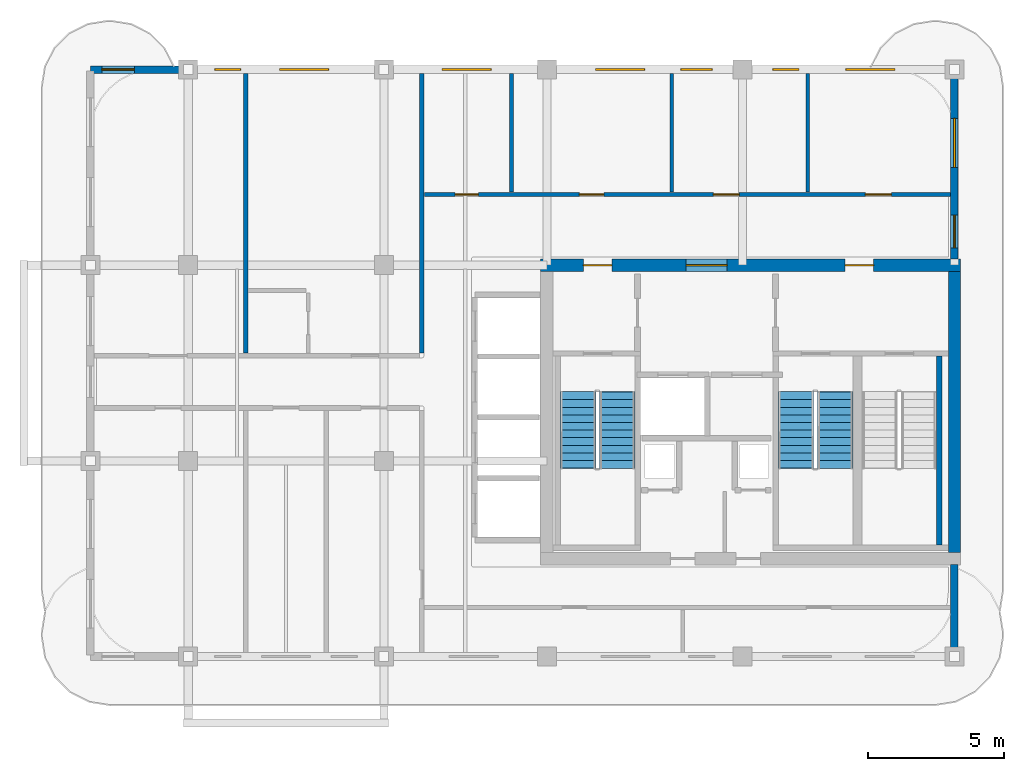
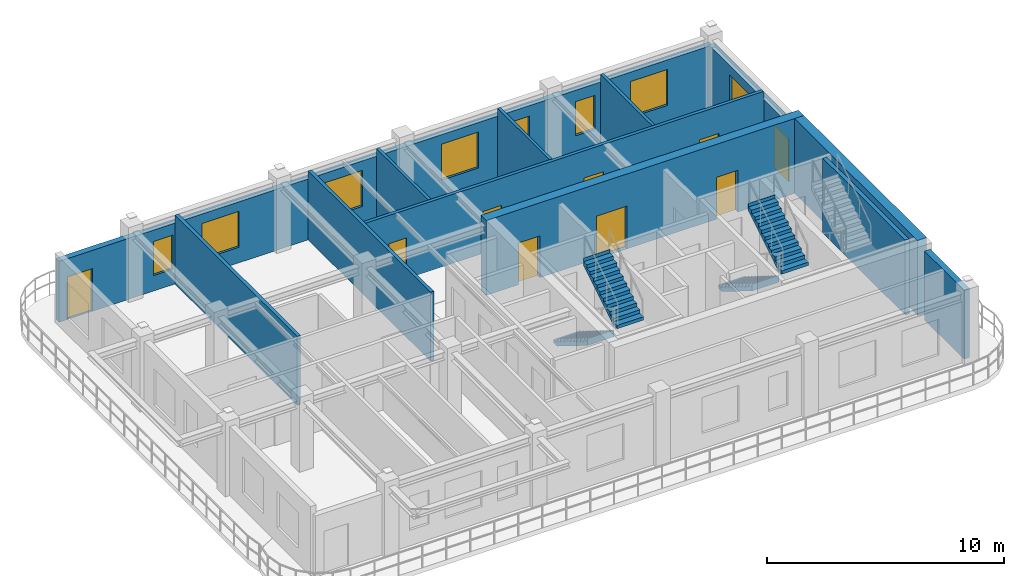
# One storey, part 4 of 7: 12 walls, 9 doors, 8 windows, 4 stair flights, 17 openings, 2 elements without a shape of their own.
"""IFC4 building model written with IfcOpenShell, lengths in metres."""

from ifc_helpers import new_model, si_unit, derived_unit, direction, frame, frame_2d, origin, place, context, subcontext, project, spatial, polyline, rectangle, outline, extrude, source, transform, mapped, material, layer, layer_set, type_object, type_shapes, element, fill, aggregate, save


model = new_model("IFC4")

# Units and contexts
model_context = context("Model", 3, precision=1e-05, world=origin(), true_north=direction((0.0, 1.0)))
body_context = subcontext(model_context, "Body", "Model", "MODEL_VIEW")
ifc_project = project(units=[si_unit("LENGTHUNIT", "METRE"), si_unit("AREAUNIT", "SQUARE_METRE"), si_unit("VOLUMEUNIT", "CUBIC_METRE"), si_unit("PLANEANGLEUNIT", "RADIAN"), si_unit("MASSUNIT", "GRAM", prefix="KILO"), si_unit("THERMODYNAMICTEMPERATUREUNIT", "KELVIN"), si_unit("POWERUNIT", "WATT"), derived_unit("THERMALTRANSMITTANCEUNIT", [(si_unit("POWERUNIT", "WATT"), 1), (si_unit("AREAUNIT", "SQUARE_METRE"), -1), (si_unit("THERMODYNAMICTEMPERATUREUNIT", "KELVIN"), -1)])], contexts=[model_context])

# Site, building, storey
site_placement = place(None, origin())
site = spatial("IfcSite", under=ifc_project, at=site_placement, CompositionType="ELEMENT")
building_placement = place(site_placement, origin())
building = spatial("IfcBuilding", under=site, at=building_placement, Name="Zahravan Archway Hotel and Residences", CompositionType="ELEMENT")
storey_placement = place(building_placement, frame((0.0, 0.0, 290.449951171875)))
storey = spatial("IfcBuildingStorey", under=building, at=storey_placement, Name="L73", CompositionType="ELEMENT", Elevation=290.449951171875)

# Wall, openings, doors
ifc_material_1 = material(Name="Concrete C50/60", Category="concrete")
ifc_layer_1 = layer(ifc_material_1, 0.449951171875, Name="Concrete C50/60", Category="concrete")
ifc_layer_set_1 = layer_set([ifc_layer_1], Name="Concrete C50/60")
wall_type_1 = type_object("IfcWallType", Name="CW-CORE-450", PredefinedType="SHEAR", material=ifc_layer_set_1)
wall_1_placement = place(storey_placement, frame((34.574951171875, 14.39990234375, 0.0), z_axis=(0.0, 0.0, 1.0), x_axis=(1.0, 0.0, 0.0)))
wall_1 = element("IfcWall", 1, at=wall_1_placement, inside=storey, type_object=wall_type_1, Name="L73 Core A Shear N Wall 450 mm", PredefinedType="SHEAR", context=body_context, shape_type="SweptSolid", body=[
    extrude(rectangle(XDim=15.449951171875, YDim=0.449951171875, at=frame_2d((7.72509765625, 0.0))), origin(), (0.0, 0.0, 1.0), 3.85009765625),
])
opening_1_placement = place(wall_1_placement, frame((5.35498046875, 0.0, 0.0)))
opening_1 = element("IfcOpeningElement", 2, at=opening_1_placement, cuts=wall_1, Name="Opening FD-L1", PredefinedType="OPENING", context=body_context, shape_type="SweptSolid", body=[
    extrude(rectangle(XDim=1.5, YDim=2.199951171875, at=frame_2d((0.75, 1.10009765625))), frame((0.0, 0.23486328125, 0.0), z_axis=(0.0, -1.0, 0.0), x_axis=(1.0, 0.0, 0.0)), (0.0, 0.0, 1.0), 0.469970703125),
])
opening_2_placement = place(wall_1_placement, frame((1.570068359375, 0.0, 0.0)))
opening_2 = element("IfcOpeningElement", 3, at=opening_2_placement, cuts=wall_1, Name="Opening FD-L2", PredefinedType="OPENING", context=body_context, shape_type="SweptSolid", body=[
    extrude(rectangle(XDim=1.050048828125, YDim=2.14990234375, at=frame_2d((0.52490234375, 1.074951171875))), frame((0.0, 0.23486328125, 0.0), z_axis=(0.0, -1.0, 0.0), x_axis=(1.0, 0.0, 0.0)), (0.0, 0.0, 1.0), 0.469970703125),
])
opening_3_placement = place(wall_1_placement, frame((11.199951171875, 0.0, 0.0)))
opening_3 = element("IfcOpeningElement", 4, at=opening_3_placement, cuts=wall_1, Name="Opening FD-L2", PredefinedType="OPENING", context=body_context, shape_type="SweptSolid", body=[
    extrude(rectangle(XDim=1.050048828125, YDim=2.14990234375, at=frame_2d((0.52490234375, 1.074951171875))), frame((0.0, 0.23486328125, 0.0), z_axis=(0.0, -1.0, 0.0), x_axis=(1.0, 0.0, 0.0)), (0.0, 0.0, 1.0), 0.469970703125),
])
ifc_material_2 = material(Name="Fire-Rated Painted Steel", Category="steel")
door_type_1 = type_object("IfcDoorType", Name="FD-LOBBY-1100", OperationType="NOTDEFINED", PredefinedType="DOOR", material=ifc_material_2)
shared_shape_1 = source(origin(), body_context, "Body", "SweptSolid", [
    extrude(rectangle(XDim=1.050048828125, YDim=2.14990234375, at=frame_2d((0.52490234375, 1.074951171875))), frame((0.0, 0.02490234375, 0.0), z_axis=(0.0, -1.0, 0.0), x_axis=(1.0, 0.0, 0.0)), (0.0, 0.0, 1.0), 0.050048828125),
])
type_shapes(door_type_1, [shared_shape_1])
door_1_placement = place(opening_2_placement, origin())
door_1 = element("IfcDoor", 5, at=door_1_placement, inside=storey, type_object=door_type_1, Name="L73 Core A West Stair Lobby Door", OperationType="SINGLE_SWING_RIGHT", OverallHeight=2.14990234375, OverallWidth=1.050048828125, PredefinedType="DOOR", context=body_context, shape_type="MappedRepresentation", body=[
    mapped(shared_shape_1, transform((0.0, 0.0, 0.0), scale=1.0)),
])
fill(opening_2, door_1)
door_2_placement = place(opening_3_placement, origin())
door_2 = element("IfcDoor", 6, at=door_2_placement, inside=storey, type_object=door_type_1, Name="L73 Core A East Stair Lobby Door", OperationType="SINGLE_SWING_LEFT", OverallHeight=2.14990234375, OverallWidth=1.050048828125, PredefinedType="DOOR", context=body_context, shape_type="MappedRepresentation", body=[
    mapped(shared_shape_1, transform((0.0, 0.0, 0.0), scale=1.0)),
])
fill(opening_3, door_2)
door_type_2 = type_object("IfcDoorType", Name="FD-LOBBY-1500", OperationType="DOUBLE_DOOR_SINGLE_SWING", PredefinedType="DOOR", material=ifc_material_2)
shared_shape_2 = source(origin(), body_context, "Body", "SweptSolid", [
    extrude(rectangle(XDim=1.5, YDim=2.199951171875, at=frame_2d((0.75, 1.10009765625))), frame((0.0, 0.02490234375, 0.0), z_axis=(0.0, -1.0, 0.0), x_axis=(1.0, 0.0, 0.0)), (0.0, 0.0, 1.0), 0.050048828125),
])
type_shapes(door_type_2, [shared_shape_2])
door_3_placement = place(opening_1_placement, origin())
door_3 = element("IfcDoor", 7, at=door_3_placement, inside=storey, type_object=door_type_2, Name="L73 Core A FSAE Lobby Main Door", OperationType="DOUBLE_DOOR_SINGLE_SWING", OverallHeight=2.199951171875, OverallWidth=1.5, PredefinedType="DOOR", context=body_context, shape_type="MappedRepresentation", body=[
    mapped(shared_shape_2, transform((0.0, 0.0, 0.0), scale=1.0)),
])
fill(opening_1, door_3)

# Walls
wall_2_placement = place(storey_placement, frame((49.800048828125, 3.824951171875, 0.0), z_axis=(0.0, 0.0, 1.0), x_axis=(0.0, 1.0, 0.0)))
element("IfcWall", 8, at=wall_2_placement, inside=storey, type_object=wall_type_1, Name="L73 Core A Shear E Wall 450 mm", PredefinedType="SHEAR", context=body_context, shape_type="SweptSolid", body=[
    extrude(rectangle(XDim=10.35009765625, YDim=0.449951171875, at=frame_2d((5.175048828125, 0.0))), origin(), (0.0, 0.0, 1.0), 3.85009765625),
])
ifc_material_3 = material(Name="Honed Red-Ochre Sandstone & Insulated Block", Category="masonry")
ifc_layer_2 = layer(ifc_material_3, 0.280029296875, Name="Honed Red-Ochre Sandstone & Insulated Block", Category="masonry")
ifc_layer_set_2 = layer_set([ifc_layer_2], Name="Honed Red-Ochre Sandstone & Insulated Block")
wall_type_2 = type_object("IfcWallType", Name="EW-LOG-280", PredefinedType="SOLIDWALL", material=ifc_layer_set_2)
wall_3_placement = place(storey_placement, frame((49.800048828125, 0.050048828125, 0.0), z_axis=(0.0, 0.0, 1.0), x_axis=(0.0, 1.0, 0.0)))
element("IfcWall", 9, at=wall_3_placement, inside=storey, type_object=wall_type_2, Name="L73 Exterior Sandstone Wall WA-ES", PredefinedType="SOLIDWALL", context=body_context, shape_type="SweptSolid", body=[
    extrude(rectangle(XDim=3.329833984375, YDim=0.280029296875, at=frame_2d((1.6650390625, 0.0))), origin(), (0.0, 0.0, 1.0), 3.550048828125),
])

# Wall, openings, door, window
wall_4_placement = place(storey_placement, frame((49.800048828125, 14.6201171875, 0.0), z_axis=(0.0, 0.0, 1.0), x_axis=(0.0, 1.0, 0.0)))
wall_4 = element("IfcWall", 10, at=wall_4_placement, inside=storey, type_object=wall_type_2, Name="L73 Exterior Sandstone Wall WA-EN", PredefinedType="SOLIDWALL", context=body_context, shape_type="SweptSolid", body=[
    extrude(rectangle(XDim=6.929931640625, YDim=0.280029296875, at=frame_2d((3.46484375, 0.0))), origin(), (0.0, 0.0, 1.0), 3.135009765625),
])
opening_4_placement = place(wall_4_placement, frame((0.419921875, 0.0, 0.0)))
opening_4 = element("IfcOpeningElement", 11, at=opening_4_placement, cuts=wall_4, Name="Opening ED-BL1", PredefinedType="OPENING", context=body_context, shape_type="SweptSolid", body=[
    extrude(rectangle(XDim=1.199951171875, YDim=2.199951171875, at=frame_2d((0.60009765625, 1.10009765625))), frame((0.0, 0.14990234375, 0.0), z_axis=(0.0, -1.0, 0.0), x_axis=(1.0, 0.0, 0.0)), (0.0, 0.0, 1.0), 0.300048828125),
])
opening_5_placement = place(wall_4_placement, frame((3.384033203125, 0.0, 0.800048828125)))
opening_5 = element("IfcOpeningElement", 12, at=opening_5_placement, cuts=wall_4, Name="Opening W-02", PredefinedType="OPENING", context=body_context, shape_type="SweptSolid", body=[
    extrude(rectangle(XDim=1.800048828125, YDim=1.85009765625, at=frame_2d((0.89990234375, 0.925048828125))), frame((0.0, 0.14990234375, 0.0), z_axis=(0.0, -1.0, 0.0), x_axis=(1.0, 0.0, 0.0)), (0.0, 0.0, 1.0), 0.300048828125),
])
ifc_material_4 = material(Name="Bronze-Anodized Glazed Aluminium", Category="aluminium")
door_type_3 = type_object("IfcDoorType", Name="ED-BALC-1200", OperationType="SLIDING_TO_LEFT", PredefinedType="DOOR", material=ifc_material_4)
shared_shape_3 = source(origin(), body_context, "Body", "SweptSolid", [
    extrude(rectangle(XDim=1.199951171875, YDim=2.199951171875, at=frame_2d((0.60009765625, 1.10009765625))), frame((0.0, 0.02490234375, 0.0), z_axis=(0.0, -1.0, 0.0), x_axis=(1.0, 0.0, 0.0)), (0.0, 0.0, 1.0), 0.050048828125),
])
type_shapes(door_type_3, [shared_shape_3])
door_4_placement = place(opening_4_placement, origin())
door_4 = element("IfcDoor", 13, at=door_4_placement, inside=storey, type_object=door_type_3, Name="L73 Outdoor Access Sliding Door (SLB-BAL-L73-EA)", OperationType="SLIDING_TO_LEFT", OverallHeight=2.199951171875, OverallWidth=1.199951171875, PredefinedType="DOOR", context=body_context, shape_type="MappedRepresentation", body=[
    mapped(shared_shape_3, transform((0.0, 0.0, 0.0), scale=1.0)),
])
fill(opening_4, door_4)
ifc_material_5 = material(Name="Bronze-Anodized Thermal-Break Aluminium & Low-E Glass", Category="aluminium")
window_type_1 = type_object("IfcWindowType", Name="WIN-TWR-1800", PartitioningType="DOUBLE_PANEL_VERTICAL", PredefinedType="WINDOW", material=ifc_material_5)
shared_shape_4 = source(origin(), body_context, "Body", "SweptSolid", [
    extrude(rectangle(XDim=1.800048828125, YDim=1.85009765625, at=frame_2d((0.89990234375, 0.925048828125))), frame((0.0, 0.030029296875, 0.0), z_axis=(0.0, -1.0, 0.0), x_axis=(1.0, 0.0, 0.0)), (0.0, 0.0, 1.0), 0.06005859375),
])
type_shapes(window_type_1, [shared_shape_4])
window_1_placement = place(opening_5_placement, origin())
window_1 = element("IfcWindow", 14, at=window_1_placement, inside=storey, type_object=window_type_1, Name="L73 Loggia Window 09", OverallHeight=1.85009765625, OverallWidth=1.800048828125, PartitioningType="DOUBLE_PANEL_VERTICAL", PredefinedType="WINDOW", context=body_context, shape_type="MappedRepresentation", body=[
    mapped(shared_shape_4, transform((0.0, 0.0, 0.0), scale=1.0)),
])
fill(opening_5, window_1)

# Wall, openings, door, windows
wall_5_placement = place(storey_placement, frame((18.0, 21.60009765625, 0.0), z_axis=(0.0, 0.0, 1.0), x_axis=(1.0, 0.0, 0.0)))
wall_5 = element("IfcWall", 15, at=wall_5_placement, inside=storey, type_object=wall_type_2, Name="L73 Exterior Sandstone Wall WA-N", PredefinedType="SOLIDWALL", context=body_context, shape_type="SweptSolid", body=[
    extrude(rectangle(XDim=31.800048828125, YDim=0.280029296875, at=frame_2d((15.89990234375, 0.0))), origin(), (0.0, 0.0, 1.0), 3.135009765625),
])
opening_6_placement = place(wall_5_placement, frame((0.419921875, 0.0, 0.0)))
opening_6 = element("IfcOpeningElement", 16, at=opening_6_placement, cuts=wall_5, Name="Opening ED-BL1", PredefinedType="OPENING", context=body_context, shape_type="SweptSolid", body=[
    extrude(rectangle(XDim=1.199951171875, YDim=2.199951171875, at=frame_2d((0.60009765625, 1.10009765625))), frame((0.0, 0.14990234375, 0.0), z_axis=(0.0, -1.0, 0.0), x_axis=(1.0, 0.0, 0.0)), (0.0, 0.0, 1.0), 0.300048828125),
])
opening_7_placement = place(wall_5_placement, frame((4.5810546875, 0.0, 0.800048828125)))
opening_7 = element("IfcOpeningElement", 17, at=opening_7_placement, cuts=wall_5, Name="Opening W-04", PredefinedType="OPENING", context=body_context, shape_type="SweptSolid", body=[
    extrude(rectangle(XDim=0.949951171875, YDim=1.75, at=frame_2d((0.47509765625, 0.875))), frame((0.0, 0.14990234375, 0.0), z_axis=(0.0, -1.0, 0.0), x_axis=(1.0, 0.0, 0.0)), (0.0, 0.0, 1.0), 0.300048828125),
])
opening_8_placement = place(wall_5_placement, frame((6.964111328125, 0.0, 0.800048828125)))
opening_8 = element("IfcOpeningElement", 18, at=opening_8_placement, cuts=wall_5, Name="Opening W-02", PredefinedType="OPENING", context=body_context, shape_type="SweptSolid", body=[
    extrude(rectangle(XDim=1.800048828125, YDim=1.85009765625, at=frame_2d((0.89990234375, 0.925048828125))), frame((0.0, 0.14990234375, 0.0), z_axis=(0.0, -1.0, 0.0), x_axis=(1.0, 0.0, 0.0)), (0.0, 0.0, 1.0), 0.300048828125),
])
opening_9_placement = place(wall_5_placement, frame((12.949951171875, 0.0, 0.800048828125)))
opening_9 = element("IfcOpeningElement", 19, at=opening_9_placement, cuts=wall_5, Name="Opening W-02", PredefinedType="OPENING", context=body_context, shape_type="SweptSolid", body=[
    extrude(rectangle(XDim=1.800048828125, YDim=1.85009765625, at=frame_2d((0.89990234375, 0.925048828125))), frame((0.0, 0.14990234375, 0.0), z_axis=(0.0, -1.0, 0.0), x_axis=(1.0, 0.0, 0.0)), (0.0, 0.0, 1.0), 0.300048828125),
])
opening_10_placement = place(wall_5_placement, frame((18.595947265625, 0.0, 0.800048828125)))
opening_10 = element("IfcOpeningElement", 20, at=opening_10_placement, cuts=wall_5, Name="Opening W-02", PredefinedType="OPENING", context=body_context, shape_type="SweptSolid", body=[
    extrude(rectangle(XDim=1.800048828125, YDim=1.85009765625, at=frame_2d((0.89990234375, 0.925048828125))), frame((0.0, 0.14990234375, 0.0), z_axis=(0.0, -1.0, 0.0), x_axis=(1.0, 0.0, 0.0)), (0.0, 0.0, 1.0), 0.300048828125),
])
opening_11_placement = place(wall_5_placement, frame((21.72900390625, 0.0, 0.800048828125)))
opening_11 = element("IfcOpeningElement", 21, at=opening_11_placement, cuts=wall_5, Name="Opening W-05", PredefinedType="OPENING", context=body_context, shape_type="SweptSolid", body=[
    extrude(rectangle(XDim=1.14990234375, YDim=1.800048828125, at=frame_2d((0.574951171875, 0.89990234375))), frame((0.0, 0.14990234375, 0.0), z_axis=(0.0, -1.0, 0.0), x_axis=(1.0, 0.0, 0.0)), (0.0, 0.0, 1.0), 0.300048828125),
])
opening_12_placement = place(wall_5_placement, frame((25.12109375, 0.0, 0.800048828125)))
opening_12 = element("IfcOpeningElement", 22, at=opening_12_placement, cuts=wall_5, Name="Opening W-04", PredefinedType="OPENING", context=body_context, shape_type="SweptSolid", body=[
    extrude(rectangle(XDim=0.949951171875, YDim=1.75, at=frame_2d((0.47509765625, 0.875))), frame((0.0, 0.14990234375, 0.0), z_axis=(0.0, -1.0, 0.0), x_axis=(1.0, 0.0, 0.0)), (0.0, 0.0, 1.0), 0.300048828125),
])
opening_13_placement = place(wall_5_placement, frame((27.803955078125, 0.0, 0.800048828125)))
opening_13 = element("IfcOpeningElement", 23, at=opening_13_placement, cuts=wall_5, Name="Opening W-02", PredefinedType="OPENING", context=body_context, shape_type="SweptSolid", body=[
    extrude(rectangle(XDim=1.800048828125, YDim=1.85009765625, at=frame_2d((0.89990234375, 0.925048828125))), frame((0.0, 0.14990234375, 0.0), z_axis=(0.0, -1.0, 0.0), x_axis=(1.0, 0.0, 0.0)), (0.0, 0.0, 1.0), 0.300048828125),
])
door_5_placement = place(opening_6_placement, origin())
door_5 = element("IfcDoor", 24, at=door_5_placement, inside=storey, type_object=door_type_3, Name="L73 Outdoor Access Sliding Door (SLB-BAL-L73-WA)", OperationType="SLIDING_TO_LEFT", OverallHeight=2.199951171875, OverallWidth=1.199951171875, PredefinedType="DOOR", context=body_context, shape_type="MappedRepresentation", body=[
    mapped(shared_shape_3, transform((0.0, 0.0, 0.0), scale=1.0)),
])
fill(opening_6, door_5)
window_type_2 = type_object("IfcWindowType", Name="WIN-NAR-950", PartitioningType="SINGLE_PANEL", PredefinedType="WINDOW", material=ifc_material_5)
shared_shape_5 = source(origin(), body_context, "Body", "SweptSolid", [
    extrude(rectangle(XDim=0.949951171875, YDim=1.75, at=frame_2d((0.47509765625, 0.875))), frame((0.0, 0.030029296875, 0.0), z_axis=(0.0, -1.0, 0.0), x_axis=(1.0, 0.0, 0.0)), (0.0, 0.0, 1.0), 0.06005859375),
])
type_shapes(window_type_2, [shared_shape_5])
window_2_placement = place(opening_7_placement, origin())
window_2 = element("IfcWindow", 25, at=window_2_placement, inside=storey, type_object=window_type_2, Name="L73 Loggia Window 10", OverallHeight=1.75, OverallWidth=0.949951171875, PartitioningType="SINGLE_PANEL", PredefinedType="WINDOW", context=body_context, shape_type="MappedRepresentation", body=[
    mapped(shared_shape_5, transform((0.0, 0.0, 0.0), scale=1.0)),
])
fill(opening_7, window_2)
window_3_placement = place(opening_12_placement, origin())
window_3 = element("IfcWindow", 26, at=window_3_placement, inside=storey, type_object=window_type_2, Name="L73 Loggia Window 15", OverallHeight=1.75, OverallWidth=0.949951171875, PartitioningType="SINGLE_PANEL", PredefinedType="WINDOW", context=body_context, shape_type="MappedRepresentation", body=[
    mapped(shared_shape_5, transform((0.0, 0.0, 0.0), scale=1.0)),
])
fill(opening_12, window_3)
window_4_placement = place(opening_8_placement, origin())
window_4 = element("IfcWindow", 27, at=window_4_placement, inside=storey, type_object=window_type_1, Name="L73 Loggia Window 11", OverallHeight=1.85009765625, OverallWidth=1.800048828125, PartitioningType="DOUBLE_PANEL_VERTICAL", PredefinedType="WINDOW", context=body_context, shape_type="MappedRepresentation", body=[
    mapped(shared_shape_4, transform((0.0, 0.0, 0.0), scale=1.0)),
])
fill(opening_8, window_4)
window_5_placement = place(opening_9_placement, origin())
window_5 = element("IfcWindow", 28, at=window_5_placement, inside=storey, type_object=window_type_1, Name="L73 Loggia Window 12", OverallHeight=1.85009765625, OverallWidth=1.800048828125, PartitioningType="DOUBLE_PANEL_VERTICAL", PredefinedType="WINDOW", context=body_context, shape_type="MappedRepresentation", body=[
    mapped(shared_shape_4, transform((0.0, 0.0, 0.0), scale=1.0)),
])
fill(opening_9, window_5)
window_6_placement = place(opening_10_placement, origin())
window_6 = element("IfcWindow", 29, at=window_6_placement, inside=storey, type_object=window_type_1, Name="L73 Loggia Window 13", OverallHeight=1.85009765625, OverallWidth=1.800048828125, PartitioningType="DOUBLE_PANEL_VERTICAL", PredefinedType="WINDOW", context=body_context, shape_type="MappedRepresentation", body=[
    mapped(shared_shape_4, transform((0.0, 0.0, 0.0), scale=1.0)),
])
fill(opening_10, window_6)
window_7_placement = place(opening_13_placement, origin())
window_7 = element("IfcWindow", 30, at=window_7_placement, inside=storey, type_object=window_type_1, Name="L73 Loggia Window 16", OverallHeight=1.85009765625, OverallWidth=1.800048828125, PartitioningType="DOUBLE_PANEL_VERTICAL", PredefinedType="WINDOW", context=body_context, shape_type="MappedRepresentation", body=[
    mapped(shared_shape_4, transform((0.0, 0.0, 0.0), scale=1.0)),
])
fill(opening_13, window_7)
window_type_3 = type_object("IfcWindowType", Name="WIN-TWR-1150", PartitioningType="SINGLE_PANEL", PredefinedType="WINDOW", material=ifc_material_5)
shared_shape_6 = source(origin(), body_context, "Body", "SweptSolid", [
    extrude(rectangle(XDim=1.14990234375, YDim=1.800048828125, at=frame_2d((0.574951171875, 0.89990234375))), frame((0.0, 0.030029296875, 0.0), z_axis=(0.0, -1.0, 0.0), x_axis=(1.0, 0.0, 0.0)), (0.0, 0.0, 1.0), 0.06005859375),
])
type_shapes(window_type_3, [shared_shape_6])
window_8_placement = place(opening_11_placement, origin())
window_8 = element("IfcWindow", 31, at=window_8_placement, inside=storey, type_object=window_type_3, Name="L73 Loggia Window 14", OverallHeight=1.800048828125, OverallWidth=1.14990234375, PartitioningType="SINGLE_PANEL", PredefinedType="WINDOW", context=body_context, shape_type="MappedRepresentation", body=[
    mapped(shared_shape_6, transform((0.0, 0.0, 0.0), scale=1.0)),
])
fill(opening_11, window_8)

# Wall
ifc_material_6 = material(Name="Fire-Rated Gypsum & Concrete Block", Category="concrete")
ifc_layer_3 = layer(ifc_material_6, 0.159912109375, Name="Fire-Rated Gypsum & Concrete Block", Category="concrete")
ifc_layer_set_3 = layer_set([ifc_layer_3], Name="Fire-Rated Gypsum & Concrete Block")
wall_type_3 = type_object("IfcWallType", Name="PW-CORR-160", PredefinedType="PARTITIONING", material=ifc_layer_set_3)
wall_6_placement = place(storey_placement, frame((30.199951171875, 11.159912109375, 0.0), z_axis=(0.0, 0.0, 1.0), x_axis=(0.0, 1.0, 0.0)))
element("IfcWall", 32, at=wall_6_placement, inside=storey, type_object=wall_type_3, Name="L73 Partition WA-FW", PredefinedType="PARTITIONING", context=body_context, shape_type="SweptSolid", body=[
    extrude(rectangle(XDim=10.300048828125, YDim=0.159912109375, at=frame_2d((5.14990234375, 0.0))), origin(), (0.0, 0.0, 1.0), 3.550048828125),
])

# Wall, openings, doors
wall_7_placement = place(storey_placement, frame((30.2900390625, 17.0, 0.0), z_axis=(0.0, 0.0, 1.0), x_axis=(1.0, 0.0, 0.0)))
wall_7 = element("IfcWall", 33, at=wall_7_placement, inside=storey, type_object=wall_type_3, Name="L73 Partition WA-FN", PredefinedType="PARTITIONING", context=body_context, shape_type="SweptSolid", body=[
    extrude(rectangle(XDim=19.369873046875, YDim=0.159912109375, at=frame_2d((9.68505859375, 0.0))), origin(), (0.0, 0.0, 1.0), 3.550048828125),
])
opening_14_placement = place(wall_7_placement, frame((1.135009765625, 0.0, 0.0)))
opening_14 = element("IfcOpeningElement", 34, at=opening_14_placement, cuts=wall_7, Name="Opening D-B1", PredefinedType="OPENING", context=body_context, shape_type="SweptSolid", body=[
    extrude(rectangle(XDim=0.85009765625, YDim=2.10009765625, at=frame_2d((0.425048828125, 1.050048828125))), frame((0.0, 0.08984375, 0.0), z_axis=(0.0, -1.0, 0.0), x_axis=(1.0, 0.0, 0.0)), (0.0, 0.0, 1.0), 0.179931640625),
])
opening_15_placement = place(wall_7_placement, frame((5.7099609375, 0.0, 0.0)))
opening_15 = element("IfcOpeningElement", 35, at=opening_15_placement, cuts=wall_7, Name="Opening D-I2", PredefinedType="OPENING", context=body_context, shape_type="SweptSolid", body=[
    extrude(rectangle(XDim=0.89990234375, YDim=2.14990234375, at=frame_2d((0.449951171875, 1.074951171875))), frame((0.0, 0.08984375, 0.0), z_axis=(0.0, -1.0, 0.0), x_axis=(1.0, 0.0, 0.0)), (0.0, 0.0, 1.0), 0.179931640625),
])
opening_16_placement = place(wall_7_placement, frame((10.635009765625, 0.0, 0.0)))
opening_16 = element("IfcOpeningElement", 36, at=opening_16_placement, cuts=wall_7, Name="Opening D-I1", PredefinedType="OPENING", context=body_context, shape_type="SweptSolid", body=[
    extrude(rectangle(XDim=0.949951171875, YDim=2.14990234375, at=frame_2d((0.47509765625, 1.074951171875))), frame((0.0, 0.08984375, 0.0), z_axis=(0.0, -1.0, 0.0), x_axis=(1.0, 0.0, 0.0)), (0.0, 0.0, 1.0), 0.179931640625),
])
opening_17_placement = place(wall_7_placement, frame((16.235107421875, 0.0, 0.0)))
opening_17 = element("IfcOpeningElement", 37, at=opening_17_placement, cuts=wall_7, Name="Opening D-I1", PredefinedType="OPENING", context=body_context, shape_type="SweptSolid", body=[
    extrude(rectangle(XDim=0.949951171875, YDim=2.14990234375, at=frame_2d((0.47509765625, 1.074951171875))), frame((0.0, 0.08984375, 0.0), z_axis=(0.0, -1.0, 0.0), x_axis=(1.0, 0.0, 0.0)), (0.0, 0.0, 1.0), 0.179931640625),
])
ifc_material_7 = material(Name="Hardwood Veneer Timber", Category="wood")
door_type_4 = type_object("IfcDoorType", Name="ID-BATH-850", OperationType="NOTDEFINED", PredefinedType="DOOR", material=ifc_material_7)
shared_shape_7 = source(origin(), body_context, "Body", "SweptSolid", [
    extrude(rectangle(XDim=0.85009765625, YDim=2.10009765625, at=frame_2d((0.425048828125, 1.050048828125))), frame((0.0, 0.02490234375, 0.0), z_axis=(0.0, -1.0, 0.0), x_axis=(1.0, 0.0, 0.0)), (0.0, 0.0, 1.0), 0.050048828125),
])
type_shapes(door_type_4, [shared_shape_7])
door_6_placement = place(opening_14_placement, origin())
door_6 = element("IfcDoor", 38, at=door_6_placement, inside=storey, type_object=door_type_4, Name="L73 Accessible WC Door", OperationType="SINGLE_SWING_LEFT", OverallHeight=2.10009765625, OverallWidth=0.85009765625, PredefinedType="DOOR", context=body_context, shape_type="MappedRepresentation", body=[
    mapped(shared_shape_7, transform((0.0, 0.0, 0.0), scale=1.0)),
])
fill(opening_14, door_6)
door_type_5 = type_object("IfcDoorType", Name="ID-INT-950", OperationType="NOTDEFINED", PredefinedType="DOOR", material=ifc_material_7)
shared_shape_8 = source(origin(), body_context, "Body", "SweptSolid", [
    extrude(rectangle(XDim=0.949951171875, YDim=2.14990234375, at=frame_2d((0.47509765625, 1.074951171875))), frame((0.0, 0.02490234375, 0.0), z_axis=(0.0, -1.0, 0.0), x_axis=(1.0, 0.0, 0.0)), (0.0, 0.0, 1.0), 0.050048828125),
])
type_shapes(door_type_5, [shared_shape_8])
door_7_placement = place(opening_16_placement, origin())
door_7 = element("IfcDoor", 39, at=door_7_placement, inside=storey, type_object=door_type_5, Name="L73 Boardroom Door", OperationType="SINGLE_SWING_LEFT", OverallHeight=2.14990234375, OverallWidth=0.949951171875, PredefinedType="DOOR", context=body_context, shape_type="MappedRepresentation", body=[
    mapped(shared_shape_8, transform((0.0, 0.0, 0.0), scale=1.0)),
])
fill(opening_16, door_7)
door_8_placement = place(opening_17_placement, origin())
door_8 = element("IfcDoor", 40, at=door_8_placement, inside=storey, type_object=door_type_5, Name="L73 Therapy Clinic Door", OperationType="SINGLE_SWING_RIGHT", OverallHeight=2.14990234375, OverallWidth=0.949951171875, PredefinedType="DOOR", context=body_context, shape_type="MappedRepresentation", body=[
    mapped(shared_shape_8, transform((0.0, 0.0, 0.0), scale=1.0)),
])
fill(opening_17, door_8)
door_type_6 = type_object("IfcDoorType", Name="ID-INT-900", OperationType="NOTDEFINED", PredefinedType="DOOR", material=ifc_material_7)
shared_shape_9 = source(origin(), body_context, "Body", "SweptSolid", [
    extrude(rectangle(XDim=0.89990234375, YDim=2.14990234375, at=frame_2d((0.449951171875, 1.074951171875))), frame((0.0, 0.02490234375, 0.0), z_axis=(0.0, -1.0, 0.0), x_axis=(1.0, 0.0, 0.0)), (0.0, 0.0, 1.0), 0.050048828125),
])
type_shapes(door_type_6, [shared_shape_9])
door_9_placement = place(opening_15_placement, origin())
door_9 = element("IfcDoor", 41, at=door_9_placement, inside=storey, type_object=door_type_6, Name="L73 Pantry Door", OperationType="SINGLE_SWING_RIGHT", OverallHeight=2.14990234375, OverallWidth=0.89990234375, PredefinedType="DOOR", context=body_context, shape_type="MappedRepresentation", body=[
    mapped(shared_shape_9, transform((0.0, 0.0, 0.0), scale=1.0)),
])
fill(opening_15, door_9)

# Walls
ifc_material_8 = material(Name="Acoustic Stud Partition")
ifc_layer_4 = layer(ifc_material_8, 0.169921875, Name="Acoustic Stud Partition")
ifc_layer_set_4 = layer_set([ifc_layer_4], Name="Acoustic Stud Partition")
wall_type_4 = type_object("IfcWallType", Name="PW-UNIT-170", PredefinedType="PARTITIONING", material=ifc_layer_set_4)
wall_8_placement = place(storey_placement, frame((23.719970703125, 11.159912109375, 0.0), z_axis=(0.0, 0.0, 1.0), x_axis=(0.0, 1.0, 0.0)))
element("IfcWall", 42, at=wall_8_placement, inside=storey, type_object=wall_type_4, Name="L73 Partition WAN-SBK4", PredefinedType="PARTITIONING", context=body_context, shape_type="SweptSolid", body=[
    extrude(rectangle(XDim=10.2919921875, YDim=0.169921875, at=frame_2d((5.14599609375, 0.0))), origin(), (0.0, 0.0, 1.0), 3.550048828125),
])
ifc_material_9 = material(Name="Moisture-Resistant Blockwork", Category="masonry")
ifc_layer_5 = layer(ifc_material_9, 0.139892578125, Name="Moisture-Resistant Blockwork", Category="masonry")
ifc_layer_set_5 = layer_set([ifc_layer_5], Name="Moisture-Resistant Blockwork")
wall_type_5 = type_object("IfcWallType", Name="PW-WET-140", PredefinedType="PARTITIONING", material=ifc_layer_set_5)
for number, where, z_axis, x_axis, name in (
    (43, (33.5, 17.090087890625, 0.0), (0.0, 0.0, 1.0), (0.0, 1.0, 0.0), "L73 Partition NE2-1"),
    (44, (39.39990234375, 17.090087890625, 0.0), (0.0, 0.0, 1.0), (0.0, 1.0, 0.0), "L73 Partition NE2-2"),
    (45, (44.39990234375, 17.090087890625, 0.0), (0.0, 0.0, 1.0), (0.0, 1.0, 0.0), "L73 Partition NE2-3"),
):
    element("IfcWall", number, at=place(storey_placement, frame(where, z_axis=z_axis, x_axis=x_axis)), inside=storey, type_object=wall_type_5, Name=name, PredefinedType="PARTITIONING", context=body_context, shape_type="SweptSolid", body=[
        extrude(rectangle(XDim=4.36181640625, YDim=0.139892578125, at=frame_2d((2.180908203125, 0.0))), origin(), (0.0, 0.0, 1.0), 3.550048828125),
    ])
ifc_layer_6 = layer(ifc_material_1, 0.199951171875, Name="Concrete C50/60", Category="concrete")
ifc_layer_set_6 = layer_set([ifc_layer_6], Name="Concrete C50/60")
wall_type_6 = type_object("IfcWallType", Name="SW-STAIR-200", PredefinedType="SHEAR", material=ifc_layer_set_6)
wall_9_placement = place(storey_placement, frame((49.239990234375, 4.10009765625, 0.0), z_axis=(0.0, 0.0, 1.0), x_axis=(0.0, 1.0, 0.0)))
element("IfcWall", 46, at=wall_9_placement, inside=storey, type_object=wall_type_6, Name="L73 Stairwell RC Wall CA-SA3E", PredefinedType="SHEAR", context=body_context, shape_type="SweptSolid", body=[
    extrude(rectangle(XDim=6.949951171875, YDim=0.199951171875, at=frame_2d((3.47509765625, 0.0))), origin(), (0.0, 0.0, 1.0), 3.85009765625),
])

# Stair, stair flights
stair_type = type_object("IfcStairType", Name="STR-CORE-1300", PredefinedType="HALF_TURN_STAIR", material=ifc_material_1)
stair_1_placement = place(storey_placement, origin())
stair_1 = element("IfcStair", 47, at=stair_1_placement, inside=storey, type_object=stair_type, Name="L73 Core A Exit Stair 1", PredefinedType="HALF_TURN_STAIR")
ifc_layer_7 = layer(ifc_material_1, 0.199951171875, Name="Concrete C50/60", Category="concrete")
ifc_layer_set_7 = layer_set([ifc_layer_7], Name="Concrete C50/60")
stair_flight_type = type_object("IfcStairFlightType", Name="SFL-CORE-1300", PredefinedType="STRAIGHT", material=ifc_layer_set_7)
shared_shape_10 = source(origin(), body_context, "Body", "SweptSolid", [
    extrude(outline(polyline([(-0.01611328125, 0.0), (-0.01611328125, 0.175048828125), (0.280029296875, 0.175048828125), (0.280029296875, 0.35009765625), (0.56005859375, 0.35009765625), (0.56005859375, 0.52490234375), (0.840087890625, 0.52490234375), (0.840087890625, 0.699951171875), (1.1201171875, 0.699951171875), (1.1201171875, 0.875), (1.39990234375, 0.875), (1.39990234375, 1.050048828125), (1.679931640625, 1.050048828125), (1.679931640625, 1.22509765625), (1.9599609375, 1.22509765625), (1.9599609375, 1.39990234375), (2.239990234375, 1.39990234375), (2.239990234375, 1.574951171875), (2.52001953125, 1.574951171875), (2.52001953125, 1.75), (2.800048828125, 1.75), (2.800048828125, 1.925048828125), (2.816162109375, 1.925048828125), (2.816162109375, 1.5732421875), (0.28271484375, 0.0), (-0.01611328125, 0.0)])), frame((0.0, 0.64990234375, 0.0), z_axis=(0.0, -1.0, 0.0), x_axis=(1.0, 0.0, 0.0)), (0.0, 0.0, 1.0), 1.300048828125),
])
stair_flight_1_placement = place(storey_placement, frame((35.949951171875, 9.72998046875, 0.0), z_axis=(0.0, 0.0, 1.0), x_axis=(0.0, -1.0, 0.0)))
stair_flight_1 = element("IfcStairFlight", 48, at=stair_flight_1_placement, type_object=stair_flight_type, Name="ST-A1 flight 1", NumberOfRisers=11, NumberOfTreads=10, PredefinedType="STRAIGHT", RiserHeight=0.175, TreadLength=0.28, context=body_context, shape_type="MappedRepresentation", body=[
    mapped(shared_shape_10, transform((0.0, 0.0, 0.0), scale=1.0)),
])
stair_flight_2_placement = place(storey_placement, frame((37.389892578125, 6.929931640625, 1.925048828125), z_axis=(0.0, 0.0, 1.0), x_axis=(0.0, 1.0, 0.0)))
stair_flight_2 = element("IfcStairFlight", 49, at=stair_flight_2_placement, type_object=stair_flight_type, Name="ST-A1 flight 2", NumberOfRisers=11, NumberOfTreads=10, PredefinedType="STRAIGHT", RiserHeight=0.175, TreadLength=0.28, context=body_context, shape_type="MappedRepresentation", body=[
    mapped(shared_shape_10, transform((0.0, 0.0, 0.0), scale=1.0)),
])
aggregate(stair_1, [stair_flight_1, stair_flight_2])

stair_2_placement = place(storey_placement, origin())
stair_2 = element("IfcStair", 50, at=stair_2_placement, inside=storey, type_object=stair_type, Name="L73 Core A Exit Stair 2", PredefinedType="HALF_TURN_STAIR")
stair_flight_3_placement = place(storey_placement, frame((43.969970703125, 9.72998046875, 0.0), z_axis=(0.0, 0.0, 1.0), x_axis=(0.0, -1.0, 0.0)))
stair_flight_3 = element("IfcStairFlight", 51, at=stair_flight_3_placement, type_object=stair_flight_type, Name="ST-A2 flight 1", NumberOfRisers=11, NumberOfTreads=10, PredefinedType="STRAIGHT", RiserHeight=0.175, TreadLength=0.28, context=body_context, shape_type="MappedRepresentation", body=[
    mapped(shared_shape_10, transform((0.0, 0.0, 0.0), scale=1.0)),
])
stair_flight_4_placement = place(storey_placement, frame((45.409912109375, 6.929931640625, 1.925048828125), z_axis=(0.0, 0.0, 1.0), x_axis=(0.0, 1.0, 0.0)))
stair_flight_4 = element("IfcStairFlight", 52, at=stair_flight_4_placement, type_object=stair_flight_type, Name="ST-A2 flight 2", NumberOfRisers=11, NumberOfTreads=10, PredefinedType="STRAIGHT", RiserHeight=0.175, TreadLength=0.28, context=body_context, shape_type="MappedRepresentation", body=[
    mapped(shared_shape_10, transform((0.0, 0.0, 0.0), scale=1.0)),
])
aggregate(stair_2, [stair_flight_3, stair_flight_4])

save(model, "model.ifc")
